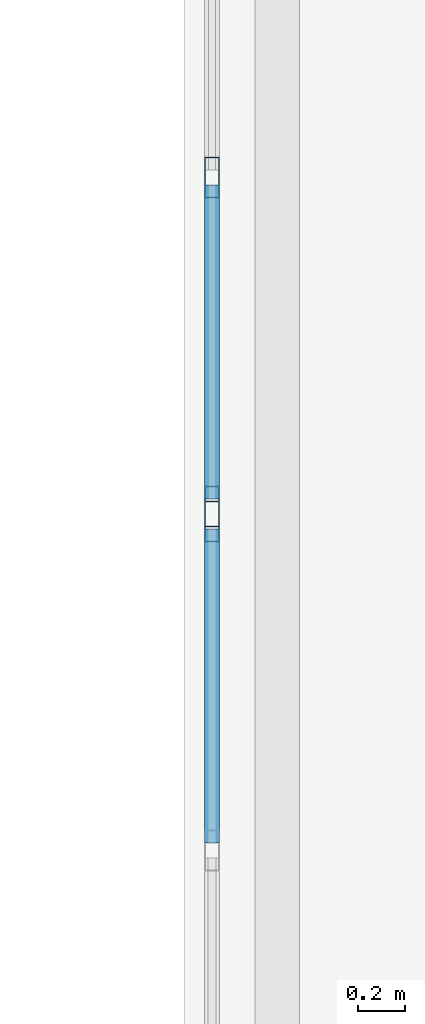
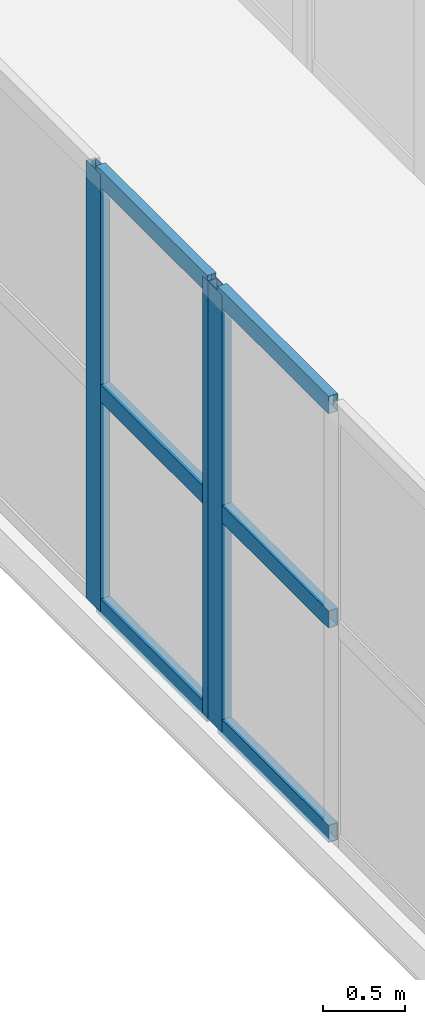
# One storey, part 38 of 142: 9 members, 2 elements without a shape of their own.
"""IFC4 building model written with IfcOpenShell, lengths in metres."""

from ifc_helpers import new_model, si_unit, direction, frame, origin, origin_2d, place, context, subcontext, project, spatial, hollow_rectangle, extrude, material, layer, layer_set, material_profile, profile_set, type_object, element, aggregate, save


model = new_model("IFC4")

# Units and contexts
model_context = context("Model", 3, precision=1e-05, world=origin(), true_north=direction((0.0, 1.0)))
body_context = subcontext(model_context, "Body", "Model", "MODEL_VIEW")
ifc_project = project(units=[si_unit("LENGTHUNIT", "METRE"), si_unit("AREAUNIT", "SQUARE_METRE"), si_unit("VOLUMEUNIT", "CUBIC_METRE"), si_unit("PLANEANGLEUNIT", "RADIAN"), si_unit("MASSUNIT", "GRAM", prefix="KILO")], contexts=[model_context])

# Site, building, storey
site_placement = place(None, origin())
site = spatial("IfcSite", under=ifc_project, at=site_placement, CompositionType="ELEMENT")
building_placement = place(site_placement, origin())
building = spatial("IfcBuilding", under=site, at=building_placement, Name="Valcora Specialist Clinic", CompositionType="ELEMENT")
storey_placement = place(building_placement, frame((0.0, 0.0, 5.10009765625)))
storey = spatial("IfcBuildingStorey", under=building, at=storey_placement, Name="L01", CompositionType="ELEMENT", Elevation=5.10009765625)

# Curtain wall, member
ifc_material = material(Name="Anodized Bronze Aluminium 6063-T6", Category="aluminium")
ifc_layer = layer(ifc_material, 0.175048828125)
ifc_layer_set = layer_set([ifc_layer], Name="Anodized Bronze Aluminium 6063-T6")
curtain_wall_type = type_object("IfcCurtainWallType", Name="TY-CW-BRG14", PredefinedType="NOTDEFINED", material=ifc_layer_set)
curtain_wall_1_placement = place(storey_placement, origin())
curtain_wall_1 = element("IfcCurtainWall", 1, at=curtain_wall_1_placement, inside=storey, type_object=curtain_wall_type, Name="Curtain wall CW-L01-237", PredefinedType="NOTDEFINED")
ifc_material_profile_1 = material_profile(ifc_material, hollow_rectangle(XDim=0.06494140625, YDim=0.175048828125, WallThickness=0.00390625, at=origin_2d()), Name="AL-MUL-65X175")
ifc_profile_set_1 = profile_set([ifc_material_profile_1], Name="Anodized Bronze Aluminium 6063-T6")
member_type_1 = type_object("IfcMemberType", Name="TY-CWM-65X175", PredefinedType="MULLION", material=ifc_profile_set_1)
member_1_placement = place(storey_placement, frame((61.320068359375, 62.13427734375, 0.0), z_axis=(0.0, 0.0, 1.0), x_axis=(-1.0, 0.0, 0.0)))
member_1 = element("IfcMember", 2, at=member_1_placement, type_object=member_type_1, Name="CW-BRG-14 mullion 5", PredefinedType="MULLION", context=body_context, shape_type="SweptSolid", body=[
    extrude(hollow_rectangle(XDim=0.06494140625, YDim=0.175048828125, WallThickness=0.00390625, at=origin_2d()), origin(), (0.0, 0.0, 1.0), 3.239990234375),
])

# Curtain wall, members
curtain_wall_2_placement = place(storey_placement, origin())
curtain_wall_2 = element("IfcCurtainWall", 3, at=curtain_wall_2_placement, inside=storey, type_object=curtain_wall_type, Name="Curtain wall CW-L01-238", PredefinedType="NOTDEFINED")
member_2_placement = place(storey_placement, frame((61.320068359375, 62.19921875, 0.0), z_axis=(0.0, 0.0, 1.0), x_axis=(-1.0, 0.0, 0.0)))
member_2 = element("IfcMember", 4, at=member_2_placement, type_object=member_type_1, Name="CW-BRG-14 mullion 1", PredefinedType="MULLION", context=body_context, shape_type="SweptSolid", body=[
    extrude(hollow_rectangle(XDim=0.06494140625, YDim=0.175048828125, WallThickness=0.00390625, at=origin_2d()), origin(), (0.0, 0.0, 1.0), 3.239990234375),
])
member_3_placement = place(storey_placement, frame((61.320068359375, 63.6083984375, 0.0), z_axis=(0.0, 0.0, 1.0), x_axis=(-1.0, 0.0, 0.0)))
member_3 = element("IfcMember", 5, at=member_3_placement, type_object=member_type_1, Name="CW-BRG-14 mullion 2", PredefinedType="MULLION", context=body_context, shape_type="SweptSolid", body=[
    extrude(hollow_rectangle(XDim=0.06494140625, YDim=0.175048828125, WallThickness=0.00390625, at=origin_2d()), origin(), (0.0, 0.0, 1.0), 3.239990234375),
])

# Member
ifc_material_profile_2 = material_profile(ifc_material, hollow_rectangle(XDim=0.06494140625, YDim=0.1298828125, WallThickness=0.00390625, at=origin_2d()), Name="AL-TRN-65X130")
ifc_profile_set_2 = profile_set([ifc_material_profile_2], Name="Anodized Bronze Aluminium 6063-T6")
member_type_2 = type_object("IfcMemberType", Name="TY-CWT-65X130", PredefinedType="USERDEFINED", material=ifc_profile_set_2)
member_4_placement = place(storey_placement, frame((61.320068359375, 60.757568359375, 0.032470703125), z_axis=(0.0, 1.0, 0.0), x_axis=(-1.0, 0.0, 0.0)))
member_4 = element("IfcMember", 6, at=member_4_placement, type_object=member_type_2, Name="CW-BRG-14 transom 4.1", ObjectType="TRANSOM", PredefinedType="USERDEFINED", context=body_context, shape_type="SweptSolid", body=[
    extrude(hollow_rectangle(XDim=0.06494140625, YDim=0.1298828125, WallThickness=0.00390625, at=origin_2d()), origin(), (0.0, 0.0, 1.0), 1.34423828125),
])

member_5_placement = place(storey_placement, frame((61.320068359375, 60.757568359375, 1.619873046875), z_axis=(0.0, 1.0, 0.0), x_axis=(-1.0, 0.0, 0.0)))
member_5 = element("IfcMember", 7, at=member_5_placement, type_object=member_type_2, Name="CW-BRG-14 transom 4.2", ObjectType="TRANSOM", PredefinedType="USERDEFINED", context=body_context, shape_type="SweptSolid", body=[
    extrude(hollow_rectangle(XDim=0.06494140625, YDim=0.1298828125, WallThickness=0.00390625, at=origin_2d()), origin(), (0.0, 0.0, 1.0), 1.34423828125),
])

member_6_placement = place(storey_placement, frame((61.320068359375, 60.757568359375, 3.20751953125), z_axis=(0.0, 1.0, 0.0), x_axis=(-1.0, 0.0, 0.0)))
member_6 = element("IfcMember", 8, at=member_6_placement, type_object=member_type_2, Name="CW-BRG-14 transom 4.3", ObjectType="TRANSOM", PredefinedType="USERDEFINED", context=body_context, shape_type="SweptSolid", body=[
    extrude(hollow_rectangle(XDim=0.06494140625, YDim=0.1298828125, WallThickness=0.00390625, at=origin_2d()), origin(), (0.0, 0.0, 1.0), 1.34423828125),
])

aggregate(curtain_wall_1, [member_1, member_4, member_5, member_6])

member_7_placement = place(storey_placement, frame((61.320068359375, 62.231689453125, 0.032470703125), z_axis=(0.0, 1.0, 0.0), x_axis=(-1.0, 0.0, 0.0)))
member_7 = element("IfcMember", 9, at=member_7_placement, type_object=member_type_2, Name="CW-BRG-14 transom 1.1", ObjectType="TRANSOM", PredefinedType="USERDEFINED", context=body_context, shape_type="SweptSolid", body=[
    extrude(hollow_rectangle(XDim=0.06494140625, YDim=0.1298828125, WallThickness=0.00390625, at=origin_2d()), origin(), (0.0, 0.0, 1.0), 1.34423828125),
])

member_8_placement = place(storey_placement, frame((61.320068359375, 62.231689453125, 1.619873046875), z_axis=(0.0, 1.0, 0.0), x_axis=(-1.0, 0.0, 0.0)))
member_8 = element("IfcMember", 10, at=member_8_placement, type_object=member_type_2, Name="CW-BRG-14 transom 1.2", ObjectType="TRANSOM", PredefinedType="USERDEFINED", context=body_context, shape_type="SweptSolid", body=[
    extrude(hollow_rectangle(XDim=0.06494140625, YDim=0.1298828125, WallThickness=0.00390625, at=origin_2d()), origin(), (0.0, 0.0, 1.0), 1.34423828125),
])

member_9_placement = place(storey_placement, frame((61.320068359375, 62.231689453125, 3.20751953125), z_axis=(0.0, 1.0, 0.0), x_axis=(-1.0, 0.0, 0.0)))
member_9 = element("IfcMember", 11, at=member_9_placement, type_object=member_type_2, Name="CW-BRG-14 transom 1.3", ObjectType="TRANSOM", PredefinedType="USERDEFINED", context=body_context, shape_type="SweptSolid", body=[
    extrude(hollow_rectangle(XDim=0.06494140625, YDim=0.1298828125, WallThickness=0.00390625, at=origin_2d()), origin(), (0.0, 0.0, 1.0), 1.34423828125),
])

aggregate(curtain_wall_2, [member_2, member_3, member_7, member_8, member_9])

save(model, "model.ifc")
